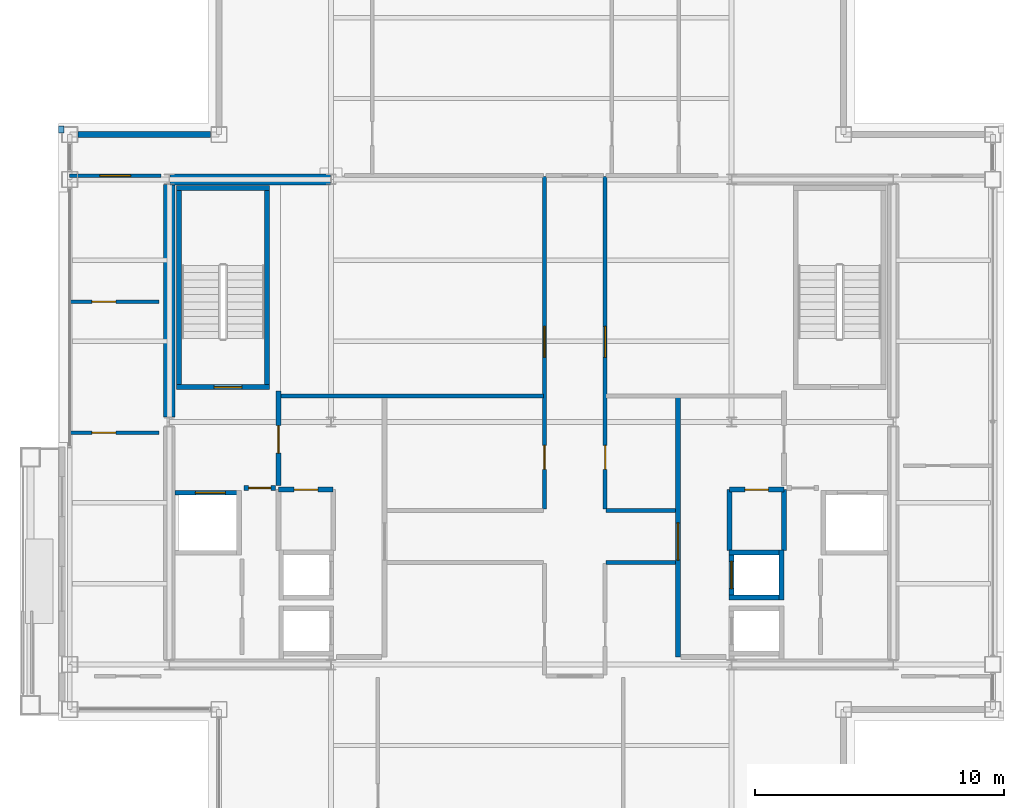
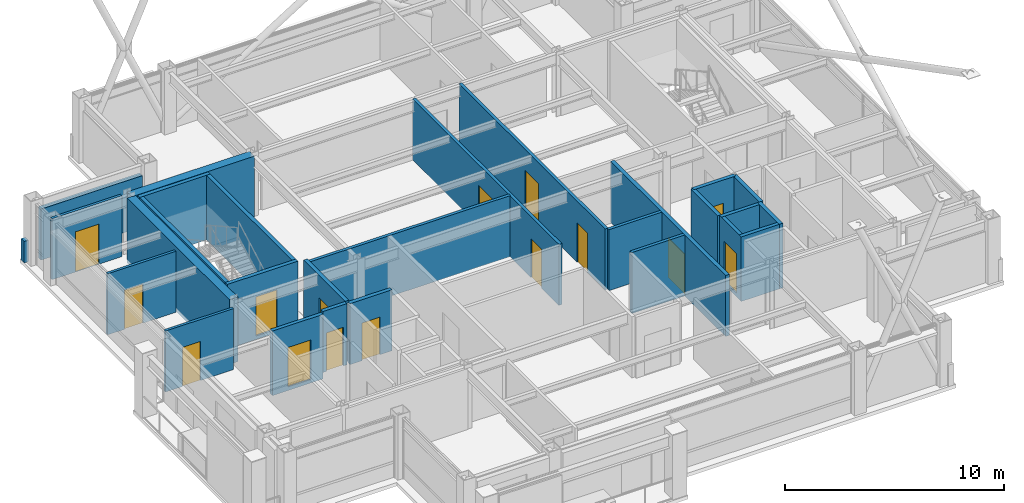
# One storey, part 22 of 26: 28 walls, 15 doors, 15 openings.
"""IFC4 building model written with IfcOpenShell, lengths in metres."""

from ifc_helpers import new_model, si_unit, direction, frame, frame_2d, origin, place, context, subcontext, project, spatial, rectangle, extrude, material, layer, layer_set, type_object, element, fill, save


model = new_model("IFC4")

# Units and contexts
model_context = context("Model", 3, precision=1e-05, world=origin(), true_north=direction((0.0, 1.0)))
body_context = subcontext(model_context, "Body", "Model", "MODEL_VIEW")
ifc_project = project(units=[si_unit("LENGTHUNIT", "METRE"), si_unit("AREAUNIT", "SQUARE_METRE"), si_unit("VOLUMEUNIT", "CUBIC_METRE"), si_unit("PLANEANGLEUNIT", "RADIAN"), si_unit("MASSUNIT", "GRAM", prefix="KILO")], contexts=[model_context])

# Site, building, storey
site_placement = place(None, origin())
site = spatial("IfcSite", under=ifc_project, at=site_placement, CompositionType="ELEMENT")
building_placement = place(site_placement, origin())
building = spatial("IfcBuilding", under=site, at=building_placement, Name="Brelmoor Portico Tower", CompositionType="ELEMENT")
storey_placement = place(building_placement, frame((0.0, 0.0, 247.199951171875)))
storey = spatial("IfcBuildingStorey", under=building, at=storey_placement, Name="L65", CompositionType="ELEMENT", Elevation=247.199951171875)

# Walls
ifc_material_1 = material(Name="Concrete C50", Category="concrete")
ifc_layer_1 = layer(ifc_material_1, 0.449951171875)
ifc_layer_set_1 = layer_set([ifc_layer_1], Name="Concrete C50")
wall_type_1 = type_object("IfcWallType", Name="WL-CORE-450", PredefinedType="SHEAR", material=ifc_layer_set_1)
wall_1_placement = place(storey_placement, frame((-14.530029296875, 9.75, -0.199951171875), z_axis=(0.0, 0.0, 1.0), x_axis=(1.0, 0.0, 0.0)))
element("IfcWall", 1, at=wall_1_placement, inside=storey, type_object=wall_type_1, Name="L65 WC North Shear Wall", PredefinedType="SHEAR", context=body_context, shape_type="SweptSolid", body=[
    extrude(rectangle(XDim=6.4599609375, YDim=0.449951171875, at=frame_2d((3.22998046875, 0.0))), origin(), (0.0, 0.0, 1.0), 3.60009765625),
])
wall_2_placement = place(storey_placement, frame((-14.550048828125, 0.199951171875, -0.199951171875), z_axis=(0.0, 0.0, 1.0), x_axis=(0.0, 1.0, 0.0)))
element("IfcWall", 2, at=wall_2_placement, inside=storey, type_object=wall_type_1, Name="L65 WC Outer North Shear Wall", PredefinedType="SHEAR", context=body_context, shape_type="SweptSolid", body=[
    extrude(rectangle(XDim=9.35009765625, YDim=0.449951171875, at=frame_2d((4.675048828125, 0.0))), origin(), (0.0, 0.0, 1.0), 3.60009765625),
])
ifc_material_2 = material(Name="Precast Concrete C40 Insulated Facade Wall", Category="concrete")
ifc_layer_2 = layer(ifc_material_2, 0.25)
ifc_layer_set_2 = layer_set([ifc_layer_2], Name="Precast Concrete C40 Insulated Facade Wall")
wall_type_2 = type_object("IfcWallType", Name="WL-EXT-250", PredefinedType="STANDARD", material=ifc_layer_set_2)
wall_3_placement = place(storey_placement, frame((-18.215087890625, 11.550048828125, 0.0), z_axis=(0.0, 0.0, 1.0), x_axis=(1.0, 0.0, 0.0)))
element("IfcWall", 3, at=wall_3_placement, inside=storey, type_object=wall_type_2, Name="L65 Corner Notch Facade Wall NNWH1", PredefinedType="STANDARD", context=body_context, shape_type="SweptSolid", body=[
    extrude(rectangle(XDim=5.330078125, YDim=0.25, at=frame_2d((2.6650390625, 0.0))), origin(), (0.0, 0.0, 1.0), 2.85009765625),
])
ifc_material_3 = material(Name="Concrete C40 Parapet Upstand", Category="concrete")
ifc_layer_3 = layer(ifc_material_3, 0.219970703125)
ifc_layer_set_3 = layer_set([ifc_layer_3], Name="Concrete C40 Parapet Upstand")
wall_type_3 = type_object("IfcWallType", Name="WL-PARAPET-220", PredefinedType="PARAPET", material=ifc_layer_set_3)
wall_4_placement = place(storey_placement, frame((-18.889892578125, 11.6201171875, 0.0), z_axis=(0.0, 0.0, 1.0), x_axis=(0.0, 1.0, 0.0)))
element("IfcWall", 4, at=wall_4_placement, inside=storey, type_object=wall_type_3, Name="L65 Chamfer Vertex Parapet Pier NW2", PredefinedType="PARAPET", context=body_context, shape_type="SweptSolid", body=[
    extrude(rectangle(XDim=0.269775390625, YDim=0.219970703125, at=frame_2d((0.134765625, 0.0))), origin(), (0.0, 0.0, 1.0), 1.199951171875),
])

# Wall, opening, door
ifc_material_4 = material(Name="Insulated Stud Suite Partition", Category="gypsum")
ifc_layer_4 = layer(ifc_material_4, 0.139892578125)
ifc_layer_set_4 = layer_set([ifc_layer_4], Name="Insulated Stud Suite Partition")
wall_type_4 = type_object("IfcWallType", Name="WL-PART-140", PredefinedType="PARTITIONING", material=ifc_layer_set_4)
wall_5_placement = place(storey_placement, frame((-18.56005859375, 9.89990234375, 0.0), z_axis=(0.0, 0.0, 1.0), x_axis=(1.0, 0.0, 0.0)))
wall_5 = element("IfcWall", 5, at=wall_5_placement, inside=storey, type_object=wall_type_4, Name="L65 North Wing Suite Wall WL", PredefinedType="PARTITIONING", context=body_context, shape_type="SweptSolid", body=[
    extrude(rectangle(XDim=3.68017578125, YDim=0.139892578125, at=frame_2d((1.840087890625, 0.0))), origin(), (0.0, 0.0, 1.0), 3.400146484375),
])
opening_1_placement = place(wall_5_placement, frame((1.219970703125, 0.0, 0.0)))
opening_1 = element("IfcOpeningElement", 6, at=opening_1_placement, cuts=wall_5, Name="Opening D-SU1", PredefinedType="OPENING", context=body_context, shape_type="SweptSolid", body=[
    extrude(rectangle(XDim=1.239990234375, YDim=2.239990234375, at=frame_2d((0.6201171875, 1.1201171875))), frame((0.0, 0.079833984375, 0.0), z_axis=(0.0, -1.0, 0.0), x_axis=(1.0, 0.0, 0.0)), (0.0, 0.0, 1.0), 0.159912109375),
])
ifc_material_5 = material(Name="Glazed Timber Executive Suite Door", Category="wood")
door_type_1 = type_object("IfcDoorType", Name="DR-SUITE-1200", OperationType="NOTDEFINED", PredefinedType="DOOR", material=ifc_material_5)
door_1_placement = place(opening_1_placement, origin())
door_1 = element("IfcDoor", 7, at=door_1_placement, inside=storey, type_object=door_type_1, Name="D-2692 L65 WL Wing Suite Connecting Door", OperationType="SINGLE_SWING_RIGHT", OverallHeight=2.239990234375, OverallWidth=1.239990234375, PredefinedType="DOOR", context=body_context, shape_type="SweptSolid", body=[
    extrude(rectangle(XDim=1.239990234375, YDim=2.239990234375, at=frame_2d((0.6201171875, 1.1201171875))), frame((0.0, 0.02490234375, 0.0), z_axis=(0.0, -1.0, 0.0), x_axis=(1.0, 0.0, 0.0)), (0.0, 0.0, 1.0), 0.050048828125),
])
fill(opening_1, door_1)

wall_6_placement = place(storey_placement, frame((-18.56005859375, -0.429931640625, 0.0), z_axis=(0.0, 0.0, 1.0), x_axis=(1.0, 0.0, 0.0)))
wall_6 = element("IfcWall", 8, at=wall_6_placement, inside=storey, type_object=wall_type_4, Name="L65 W Wing Partition 1", PredefinedType="PARTITIONING", context=body_context, shape_type="SweptSolid", body=[
    extrude(rectangle(XDim=3.60009765625, YDim=0.139892578125, at=frame_2d((1.800048828125, 0.0))), origin(), (0.0, 0.0, 1.0), 3.400146484375),
])
opening_2_placement = place(wall_6_placement, frame((0.89990234375, 0.0, 0.0)))
opening_2 = element("IfcOpeningElement", 9, at=opening_2_placement, cuts=wall_6, Name="Opening D-IN2", PredefinedType="OPENING", context=body_context, shape_type="SweptSolid", body=[
    extrude(rectangle(XDim=0.9599609375, YDim=2.179931640625, at=frame_2d((0.47998046875, 1.08984375))), frame((0.0, 0.079833984375, 0.0), z_axis=(0.0, -1.0, 0.0), x_axis=(1.0, 0.0, 0.0)), (0.0, 0.0, 1.0), 0.159912109375),
])
ifc_material_6 = material(Name="Lacquered Timber Suite Door", Category="wood")
door_type_2 = type_object("IfcDoorType", Name="DR-INT-950", OperationType="NOTDEFINED", PredefinedType="DOOR", material=ifc_material_6)
door_2_placement = place(opening_2_placement, origin())
door_2 = element("IfcDoor", 10, at=door_2_placement, inside=storey, type_object=door_type_2, Name="D-2703 L65 W Wing Suite Connecting Door 1", OperationType="SINGLE_SWING_RIGHT", OverallHeight=2.179931640625, OverallWidth=0.9599609375, PredefinedType="DOOR", context=body_context, shape_type="SweptSolid", body=[
    extrude(rectangle(XDim=0.9599609375, YDim=2.179931640625, at=frame_2d((0.47998046875, 1.08984375))), frame((0.0, 0.02490234375, 0.0), z_axis=(0.0, -1.0, 0.0), x_axis=(1.0, 0.0, 0.0)), (0.0, 0.0, 1.0), 0.050048828125),
])
fill(opening_2, door_2)

wall_7_placement = place(storey_placement, frame((-18.56005859375, 4.83251953125, 0.0), z_axis=(0.0, 0.0, 1.0), x_axis=(1.0, 0.0, 0.0)))
wall_7 = element("IfcWall", 11, at=wall_7_placement, inside=storey, type_object=wall_type_4, Name="L65 W Wing Partition 2", PredefinedType="PARTITIONING", context=body_context, shape_type="SweptSolid", body=[
    extrude(rectangle(XDim=3.60009765625, YDim=0.139892578125, at=frame_2d((1.800048828125, 0.0))), origin(), (0.0, 0.0, 1.0), 3.400146484375),
])
opening_3_placement = place(wall_7_placement, frame((0.89990234375, 0.0, 0.0)))
opening_3 = element("IfcOpeningElement", 12, at=opening_3_placement, cuts=wall_7, Name="Opening D-IN2", PredefinedType="OPENING", context=body_context, shape_type="SweptSolid", body=[
    extrude(rectangle(XDim=0.9599609375, YDim=2.179931640625, at=frame_2d((0.47998046875, 1.08984375))), frame((0.0, 0.079833984375, 0.0), z_axis=(0.0, -1.0, 0.0), x_axis=(1.0, 0.0, 0.0)), (0.0, 0.0, 1.0), 0.159912109375),
])
door_3_placement = place(opening_3_placement, origin())
door_3 = element("IfcDoor", 13, at=door_3_placement, inside=storey, type_object=door_type_2, Name="D-2704 L65 W Wing Suite Connecting Door 2", OperationType="SINGLE_SWING_LEFT", OverallHeight=2.179931640625, OverallWidth=0.9599609375, PredefinedType="DOOR", context=body_context, shape_type="SweptSolid", body=[
    extrude(rectangle(XDim=0.9599609375, YDim=2.179931640625, at=frame_2d((0.47998046875, 1.08984375))), frame((0.0, 0.02490234375, 0.0), z_axis=(0.0, -1.0, 0.0), x_axis=(1.0, 0.0, 0.0)), (0.0, 0.0, 1.0), 0.050048828125),
])
fill(opening_3, door_3)

# Wall
ifc_material_7 = material(Name="Twin-Frame Acoustic Partition", Category="gypsum")
ifc_layer_5 = layer(ifc_material_7, 0.159912109375)
ifc_layer_set_5 = layer_set([ifc_layer_5], Name="Twin-Frame Acoustic Partition")
wall_type_5 = type_object("IfcWallType", Name="WL-PART-160", PredefinedType="PARTITIONING", material=ifc_layer_set_5)
wall_8_placement = place(storey_placement, frame((-10.050048828125, 1.050048828125, 0.0), z_axis=(0.0, 0.0, 1.0), x_axis=(1.0, 0.0, 0.0)))
element("IfcWall", 14, at=wall_8_placement, inside=storey, type_object=wall_type_5, Name="L65 West Reclaimed Suite South Wall", PredefinedType="PARTITIONING", context=body_context, shape_type="SweptSolid", body=[
    extrude(rectangle(XDim=10.5400390625, YDim=0.159912109375, at=frame_2d((5.27001953125, 0.0))), origin(), (0.0, 0.0, 1.0), 3.400146484375),
])

# Wall, openings, doors
wall_9_placement = place(storey_placement, frame((0.530029296875, -3.5, 0.0), z_axis=(0.0, 0.0, 1.0), x_axis=(0.0, 1.0, 0.0)))
wall_9 = element("IfcWall", 15, at=wall_9_placement, inside=storey, type_object=wall_type_5, Name="L65 Central Cross West Wall", PredefinedType="PARTITIONING", context=body_context, shape_type="SweptSolid", body=[
    extrude(rectangle(XDim=13.360107421875, YDim=0.159912109375, at=frame_2d((6.68017578125, 0.0))), origin(), (0.0, 0.0, 1.0), 3.400146484375),
])
opening_4_placement = place(wall_9_placement, frame((6.10009765625, 0.0, 0.0)))
opening_4 = element("IfcOpeningElement", 16, at=opening_4_placement, cuts=wall_9, Name="Opening D-SU1", PredefinedType="OPENING", context=body_context, shape_type="SweptSolid", body=[
    extrude(rectangle(XDim=1.239990234375, YDim=2.239990234375, at=frame_2d((0.6201171875, 1.1201171875))), frame((0.0, 0.08984375, 0.0), z_axis=(0.0, -1.0, 0.0), x_axis=(1.0, 0.0, 0.0)), (0.0, 0.0, 1.0), 0.179931640625),
])
opening_5_placement = place(wall_9_placement, frame((1.60009765625, 0.0, 0.0)))
opening_5 = element("IfcOpeningElement", 17, at=opening_5_placement, cuts=wall_9, Name="Opening D-IN2", PredefinedType="OPENING", context=body_context, shape_type="SweptSolid", body=[
    extrude(rectangle(XDim=0.9599609375, YDim=2.179931640625, at=frame_2d((0.47998046875, 1.08984375))), frame((0.0, 0.08984375, 0.0), z_axis=(0.0, -1.0, 0.0), x_axis=(1.0, 0.0, 0.0)), (0.0, 0.0, 1.0), 0.179931640625),
])
door_4_placement = place(opening_5_placement, origin())
door_4 = element("IfcDoor", 18, at=door_4_placement, inside=storey, type_object=door_type_2, Name="D-2675 L65 Staff Pantry Door", OperationType="SINGLE_SWING_LEFT", OverallHeight=2.179931640625, OverallWidth=0.9599609375, PredefinedType="DOOR", context=body_context, shape_type="SweptSolid", body=[
    extrude(rectangle(XDim=0.9599609375, YDim=2.179931640625, at=frame_2d((0.47998046875, 1.08984375))), frame((0.0, 0.02490234375, 0.0), z_axis=(0.0, -1.0, 0.0), x_axis=(1.0, 0.0, 0.0)), (0.0, 0.0, 1.0), 0.050048828125),
])
fill(opening_5, door_4)
door_5_placement = place(opening_4_placement, origin())
door_5 = element("IfcDoor", 19, at=door_5_placement, inside=storey, type_object=door_type_1, Name="D-2676 L65 West Reclaimed Studio Door", OperationType="SINGLE_SWING_RIGHT", OverallHeight=2.239990234375, OverallWidth=1.239990234375, PredefinedType="DOOR", context=body_context, shape_type="SweptSolid", body=[
    extrude(rectangle(XDim=1.239990234375, YDim=2.239990234375, at=frame_2d((0.6201171875, 1.1201171875))), frame((0.0, 0.02490234375, 0.0), z_axis=(0.0, -1.0, 0.0), x_axis=(1.0, 0.0, 0.0)), (0.0, 0.0, 1.0), 0.050048828125),
])
fill(opening_4, door_5)

wall_10_placement = place(storey_placement, frame((2.969970703125, -3.5, 0.0), z_axis=(0.0, 0.0, 1.0), x_axis=(0.0, 1.0, 0.0)))
wall_10 = element("IfcWall", 20, at=wall_10_placement, inside=storey, type_object=wall_type_5, Name="L65 Central Cross East Wall", PredefinedType="PARTITIONING", context=body_context, shape_type="SweptSolid", body=[
    extrude(rectangle(XDim=13.360107421875, YDim=0.159912109375, at=frame_2d((6.68017578125, 0.0))), origin(), (0.0, 0.0, 1.0), 3.400146484375),
])
opening_6_placement = place(wall_10_placement, frame((6.10009765625, 0.0, 0.0)))
opening_6 = element("IfcOpeningElement", 21, at=opening_6_placement, cuts=wall_10, Name="Opening D-SU1", PredefinedType="OPENING", context=body_context, shape_type="SweptSolid", body=[
    extrude(rectangle(XDim=1.239990234375, YDim=2.239990234375, at=frame_2d((0.6201171875, 1.1201171875))), frame((0.0, 0.08984375, 0.0), z_axis=(0.0, -1.0, 0.0), x_axis=(1.0, 0.0, 0.0)), (0.0, 0.0, 1.0), 0.179931640625),
])
opening_7_placement = place(wall_10_placement, frame((1.60009765625, 0.0, 0.0)))
opening_7 = element("IfcOpeningElement", 22, at=opening_7_placement, cuts=wall_10, Name="Opening D-IN2", PredefinedType="OPENING", context=body_context, shape_type="SweptSolid", body=[
    extrude(rectangle(XDim=0.9599609375, YDim=2.179931640625, at=frame_2d((0.47998046875, 1.08984375))), frame((0.0, 0.08984375, 0.0), z_axis=(0.0, -1.0, 0.0), x_axis=(1.0, 0.0, 0.0)), (0.0, 0.0, 1.0), 0.179931640625),
])
door_6_placement = place(opening_7_placement, origin())
door_6 = element("IfcDoor", 23, at=door_6_placement, inside=storey, type_object=door_type_2, Name="D-2671 L65 Client Project Office Door", OperationType="SINGLE_SWING_LEFT", OverallHeight=2.179931640625, OverallWidth=0.9599609375, PredefinedType="DOOR", context=body_context, shape_type="SweptSolid", body=[
    extrude(rectangle(XDim=0.9599609375, YDim=2.179931640625, at=frame_2d((0.47998046875, 1.08984375))), frame((0.0, 0.02490234375, 0.0), z_axis=(0.0, -1.0, 0.0), x_axis=(1.0, 0.0, 0.0)), (0.0, 0.0, 1.0), 0.050048828125),
])
fill(opening_7, door_6)
door_7_placement = place(opening_6_placement, origin())
door_7 = element("IfcDoor", 24, at=door_7_placement, inside=storey, type_object=door_type_1, Name="D-2672 L65 East Reclaimed Studio Door", OperationType="SINGLE_SWING_RIGHT", OverallHeight=2.239990234375, OverallWidth=1.239990234375, PredefinedType="DOOR", context=body_context, shape_type="SweptSolid", body=[
    extrude(rectangle(XDim=1.239990234375, YDim=2.239990234375, at=frame_2d((0.6201171875, 1.1201171875))), frame((0.0, 0.02490234375, 0.0), z_axis=(0.0, -1.0, 0.0), x_axis=(1.0, 0.0, 0.0)), (0.0, 0.0, 1.0), 0.050048828125),
])
fill(opening_6, door_7)

# Walls
for number, where, z_axis, x_axis, name in (
    (25, (3.010009765625, -3.550048828125, 0.0), (0.0, 0.0, 1.0), (1.0, 0.0, 0.0), "L65 East Office South Wall"),
    (26, (3.010009765625, -5.64990234375, 0.0), (0.0, 0.0, 1.0), (1.0, 0.0, 0.0), "L65 South-East Chamber Top Wall"),
):
    element("IfcWall", number, at=place(storey_placement, frame(where, z_axis=z_axis, x_axis=x_axis)), inside=storey, type_object=wall_type_5, Name=name, PredefinedType="PARTITIONING", context=body_context, shape_type="SweptSolid", body=[
        extrude(rectangle(XDim=2.7900390625, YDim=0.159912109375, at=frame_2d((1.39501953125, 0.0))), origin(), (0.0, 0.0, 1.0), 3.400146484375),
    ])

# Wall, opening, door
ifc_material_8 = material(Name="Double-Stud Gypsum Fire Partition", Category="gypsum")
ifc_layer_6 = layer(ifc_material_8, 0.199951171875)
ifc_layer_set_6 = layer_set([ifc_layer_6], Name="Double-Stud Gypsum Fire Partition")
wall_type_6 = type_object("IfcWallType", Name="WL-PART-200", PredefinedType="PARTITIONING", material=ifc_layer_set_6)
wall_11_placement = place(storey_placement, frame((-10.159912109375, -2.550048828125, 0.0), z_axis=(0.0, 0.0, 1.0), x_axis=(0.0, 1.0, 0.0)))
wall_11 = element("IfcWall", 27, at=wall_11_placement, inside=storey, type_object=wall_type_6, Name="L65 W Firefighting Lobby Wall", PredefinedType="PARTITIONING", context=body_context, shape_type="SweptSolid", body=[
    extrude(rectangle(XDim=3.800048828125, YDim=0.199951171875, at=frame_2d((1.89990234375, 0.0))), origin(), (0.0, 0.0, 1.0), 3.400146484375),
])
opening_8_placement = place(wall_11_placement, frame((1.300048828125, 0.0, 0.0)))
opening_8 = element("IfcOpeningElement", 28, at=opening_8_placement, cuts=wall_11, Name="Opening D-FR1", PredefinedType="OPENING", context=body_context, shape_type="SweptSolid", body=[
    extrude(rectangle(XDim=1.10009765625, YDim=2.14990234375, at=frame_2d((0.550048828125, 1.074951171875))), frame((0.0, 0.10986328125, 0.0), z_axis=(0.0, -1.0, 0.0), x_axis=(1.0, 0.0, 0.0)), (0.0, 0.0, 1.0), 0.219970703125),
])
ifc_material_9 = material(Name="Painted Galvanised Steel Fire Door", Category="steel")
door_type_3 = type_object("IfcDoorType", Name="DR-FIRE-1100", OperationType="NOTDEFINED", PredefinedType="DOOR", material=ifc_material_9)
door_8_placement = place(opening_8_placement, origin())
door_8 = element("IfcDoor", 29, at=door_8_placement, inside=storey, type_object=door_type_3, Name="D-2684 L65 W Firefighting Lobby Door", OperationType="SINGLE_SWING_RIGHT", OverallHeight=2.14990234375, OverallWidth=1.10009765625, PredefinedType="DOOR", context=body_context, shape_type="SweptSolid", body=[
    extrude(rectangle(XDim=1.10009765625, YDim=2.14990234375, at=frame_2d((0.550048828125, 1.074951171875))), frame((0.0, 0.02490234375, 0.0), z_axis=(0.0, -1.0, 0.0), x_axis=(1.0, 0.0, 0.0)), (0.0, 0.0, 1.0), 0.050048828125),
])
fill(opening_8, door_8)

wall_12_placement = place(storey_placement, frame((-10.280029296875, -2.64990234375, 0.0), z_axis=(0.0, 0.0, 1.0), x_axis=(-1.0, 0.0, 0.0)))
wall_12 = element("IfcWall", 30, at=wall_12_placement, inside=storey, type_object=wall_type_6, Name="L65 W Firefighting Lobby South Wall", PredefinedType="PARTITIONING", context=body_context, shape_type="SweptSolid", body=[
    extrude(rectangle(XDim=1.27001953125, YDim=0.199951171875, at=frame_2d((0.635009765625, 0.0))), origin(), (0.0, 0.0, 1.0), 3.400146484375),
])
opening_9_placement = place(wall_12_placement, frame((0.18505859375, 0.0, 0.0)))
opening_9 = element("IfcOpeningElement", 31, at=opening_9_placement, cuts=wall_12, Name="Opening D-IN1", PredefinedType="OPENING", context=body_context, shape_type="SweptSolid", body=[
    extrude(rectangle(XDim=0.89990234375, YDim=2.14990234375, at=frame_2d((0.449951171875, 1.074951171875))), frame((0.0, 0.10986328125, 0.0), z_axis=(0.0, -1.0, 0.0), x_axis=(1.0, 0.0, 0.0)), (0.0, 0.0, 1.0), 0.219970703125),
])
door_type_4 = type_object("IfcDoorType", Name="DR-INT-900", OperationType="NOTDEFINED", PredefinedType="DOOR", material=ifc_material_6)
door_9_placement = place(opening_9_placement, origin())
door_9 = element("IfcDoor", 32, at=door_9_placement, inside=storey, type_object=door_type_4, Name="D-2679 L65 W Core Service Vestibule Door", OperationType="SINGLE_SWING_LEFT", OverallHeight=2.14990234375, OverallWidth=0.89990234375, PredefinedType="DOOR", context=body_context, shape_type="SweptSolid", body=[
    extrude(rectangle(XDim=0.89990234375, YDim=2.14990234375, at=frame_2d((0.449951171875, 1.074951171875))), frame((0.0, 0.02490234375, 0.0), z_axis=(0.0, -1.0, 0.0), x_axis=(1.0, 0.0, 0.0)), (0.0, 0.0, 1.0), 0.050048828125),
])
fill(opening_9, door_9)

wall_13_placement = place(storey_placement, frame((-7.9599609375, -2.719970703125, 0.0), z_axis=(0.0, 0.0, 1.0), x_axis=(-1.0, 0.0, 0.0)))
wall_13 = element("IfcWall", 33, at=wall_13_placement, inside=storey, type_object=wall_type_6, Name="L65 W Electrical Switchgear Closet Wall", PredefinedType="PARTITIONING", context=body_context, shape_type="SweptSolid", body=[
    extrude(rectangle(XDim=2.199951171875, YDim=0.199951171875, at=frame_2d((1.10009765625, 0.0))), origin(), (0.0, 0.0, 1.0), 3.400146484375),
])
opening_10_placement = place(wall_13_placement, frame((0.6201171875, 0.0, 0.0)))
opening_10 = element("IfcOpeningElement", 34, at=opening_10_placement, cuts=wall_13, Name="Opening D-FR4", PredefinedType="OPENING", context=body_context, shape_type="SweptSolid", body=[
    extrude(rectangle(XDim=0.949951171875, YDim=2.10009765625, at=frame_2d((0.47509765625, 1.050048828125))), frame((0.0, 0.10986328125, 0.0), z_axis=(0.0, -1.0, 0.0), x_axis=(1.0, 0.0, 0.0)), (0.0, 0.0, 1.0), 0.219970703125),
])
ifc_material_10 = material(Name="Painted Galvanised Steel Riser Door", Category="steel")
door_type_5 = type_object("IfcDoorType", Name="DR-FIRE-950", OperationType="NOTDEFINED", PredefinedType="DOOR", material=ifc_material_10)
door_10_placement = place(opening_10_placement, origin())
door_10 = element("IfcDoor", 35, at=door_10_placement, inside=storey, type_object=door_type_5, Name="D-2682 L65 W Electrical Switchgear Closet Door", OperationType="SINGLE_SWING_RIGHT", OverallHeight=2.10009765625, OverallWidth=0.949951171875, PredefinedType="DOOR", context=body_context, shape_type="SweptSolid", body=[
    extrude(rectangle(XDim=0.949951171875, YDim=2.10009765625, at=frame_2d((0.47509765625, 1.050048828125))), frame((0.0, 0.02490234375, 0.0), z_axis=(0.0, -1.0, 0.0), x_axis=(1.0, 0.0, 0.0)), (0.0, 0.0, 1.0), 0.050048828125),
])
fill(opening_10, door_10)

wall_14_placement = place(storey_placement, frame((5.89990234375, -9.449951171875, 0.0), z_axis=(0.0, 0.0, 1.0), x_axis=(0.0, 1.0, 0.0)))
wall_14 = element("IfcWall", 36, at=wall_14_placement, inside=storey, type_object=wall_type_6, Name="L65 E Core Lobby Compartment Wall", PredefinedType="PARTITIONING", context=body_context, shape_type="SweptSolid", body=[
    extrude(rectangle(XDim=10.5, YDim=0.199951171875, at=frame_2d((5.25, 0.0))), origin(), (0.0, 0.0, 1.0), 3.400146484375),
])
opening_11_placement = place(wall_14_placement, frame((3.89990234375, 0.0, 0.0)))
opening_11 = element("IfcOpeningElement", 37, at=opening_11_placement, cuts=wall_14, Name="Opening D-LB1", PredefinedType="OPENING", context=body_context, shape_type="SweptSolid", body=[
    extrude(rectangle(XDim=1.5, YDim=2.199951171875, at=frame_2d((0.75, 1.10009765625))), frame((0.0, 0.10986328125, 0.0), z_axis=(0.0, -1.0, 0.0), x_axis=(1.0, 0.0, 0.0)), (0.0, 0.0, 1.0), 0.219970703125),
])
ifc_material_11 = material(Name="Double-Leaf Glazed Steel Fire Door", Category="steel")
door_type_6 = type_object("IfcDoorType", Name="DR-LOBBY-1500", OperationType="NOTDEFINED", PredefinedType="DOOR", material=ifc_material_11)
door_11_placement = place(opening_11_placement, origin())
door_11 = element("IfcDoor", 38, at=door_11_placement, inside=storey, type_object=door_type_6, Name="D-2685 L65 E Lift Lobby Main Door", OperationType="DOUBLE_DOOR_SINGLE_SWING", OverallHeight=2.199951171875, OverallWidth=1.5, PredefinedType="DOOR", context=body_context, shape_type="SweptSolid", body=[
    extrude(rectangle(XDim=1.5, YDim=2.199951171875, at=frame_2d((0.75, 1.10009765625))), frame((0.0, 0.02490234375, 0.0), z_axis=(0.0, -1.0, 0.0), x_axis=(1.0, 0.0, 0.0)), (0.0, 0.0, 1.0), 0.050048828125),
])
fill(opening_11, door_11)

wall_15_placement = place(storey_placement, frame((7.9599609375, -2.719970703125, 0.0), z_axis=(0.0, 0.0, 1.0), x_axis=(1.0, 0.0, 0.0)))
wall_15 = element("IfcWall", 39, at=wall_15_placement, inside=storey, type_object=wall_type_6, Name="L65 E Electrical Switchgear Closet Wall", PredefinedType="PARTITIONING", context=body_context, shape_type="SweptSolid", body=[
    extrude(rectangle(XDim=2.199951171875, YDim=0.199951171875, at=frame_2d((1.10009765625, 0.0))), origin(), (0.0, 0.0, 1.0), 3.400146484375),
])
opening_12_placement = place(wall_15_placement, frame((0.6201171875, 0.0, 0.0)))
opening_12 = element("IfcOpeningElement", 40, at=opening_12_placement, cuts=wall_15, Name="Opening D-FR4", PredefinedType="OPENING", context=body_context, shape_type="SweptSolid", body=[
    extrude(rectangle(XDim=0.949951171875, YDim=2.10009765625, at=frame_2d((0.47509765625, 1.050048828125))), frame((0.0, 0.10986328125, 0.0), z_axis=(0.0, -1.0, 0.0), x_axis=(1.0, 0.0, 0.0)), (0.0, 0.0, 1.0), 0.219970703125),
])
door_12_placement = place(opening_12_placement, origin())
door_12 = element("IfcDoor", 41, at=door_12_placement, inside=storey, type_object=door_type_5, Name="D-2681 L65 E Electrical Switchgear Closet Door", OperationType="SINGLE_SWING_RIGHT", OverallHeight=2.10009765625, OverallWidth=0.949951171875, PredefinedType="DOOR", context=body_context, shape_type="SweptSolid", body=[
    extrude(rectangle(XDim=0.949951171875, YDim=2.10009765625, at=frame_2d((0.47509765625, 1.050048828125))), frame((0.0, 0.02490234375, 0.0), z_axis=(0.0, -1.0, 0.0), x_axis=(1.0, 0.0, 0.0)), (0.0, 0.0, 1.0), 0.050048828125),
])
fill(opening_12, door_12)

# Walls
for number, where, z_axis, x_axis, name in (
    (42, (7.9599609375, -5.159912109375, 0.0), (0.0, 0.0, 1.0), (0.0, 1.0, 0.0), "L65 E Electrical Switchgear Closet Inner Wall"),
    (43, (10.159912109375, -5.159912109375, 0.0), (0.0, 0.0, 1.0), (0.0, 1.0, 0.0), "L65 E Electrical Switchgear Closet Outer Wall"),
):
    element("IfcWall", number, at=place(storey_placement, frame(where, z_axis=z_axis, x_axis=x_axis)), inside=storey, type_object=wall_type_6, Name=name, PredefinedType="PARTITIONING", context=body_context, shape_type="SweptSolid", body=[
        extrude(rectangle(XDim=2.43994140625, YDim=0.199951171875, at=frame_2d((1.219970703125, 0.0))), origin(), (0.0, 0.0, 1.0), 3.400146484375),
    ])

# Wall, opening, door
ifc_material_12 = material(Name="Precast Concrete C40", Category="concrete")
ifc_layer_7 = layer(ifc_material_12, 0.18994140625)
ifc_layer_set_7 = layer_set([ifc_layer_7], Name="Precast Concrete C40")
wall_type_7 = type_object("IfcWallType", Name="WL-SHAFT-180", PredefinedType="SOLIDWALL", material=ifc_layer_set_7)
wall_16_placement = place(storey_placement, frame((8.044921875, -7.14990234375, -0.199951171875), z_axis=(0.0, 0.0, 1.0), x_axis=(0.0, 1.0, 0.0)))
wall_16 = element("IfcWall", 44, at=wall_16_placement, inside=storey, type_object=wall_type_7, Name="L65 Lift PH4 Hoistway Front Wall", PredefinedType="SOLIDWALL", context=body_context, shape_type="SweptSolid", body=[
    extrude(rectangle(XDim=2.0, YDim=0.18994140625, at=frame_2d((1.0, 0.0))), origin(), (0.0, 0.0, 1.0), 3.60009765625),
])
opening_13_placement = place(wall_16_placement, frame((0.449951171875, 0.0, 0.199951171875)))
opening_13 = element("IfcOpeningElement", 45, at=opening_13_placement, cuts=wall_16, Name="Opening LD-01", PredefinedType="OPENING", context=body_context, shape_type="SweptSolid", body=[
    extrude(rectangle(XDim=1.10009765625, YDim=2.199951171875, at=frame_2d((0.550048828125, 1.10009765625))), frame((0.0, 0.10498046875, 0.0), z_axis=(0.0, -1.0, 0.0), x_axis=(1.0, 0.0, 0.0)), (0.0, 0.0, 1.0), 0.2099609375),
])
ifc_material_13 = material(Name="Brushed Stainless Steel Sliding Lift Door", Category="steel")
door_type_7 = type_object("IfcDoorType", Name="DR-LIFT-1100", OperationType="NOTDEFINED", PredefinedType="DOOR", material=ifc_material_13)
door_13_placement = place(opening_13_placement, origin())
door_13 = element("IfcDoor", 46, at=door_13_placement, inside=storey, type_object=door_type_7, Name="D-2710 L65 Lift PH4 Sliding Landing Door", OperationType="SLIDING_TO_LEFT", OverallHeight=2.199951171875, OverallWidth=1.10009765625, PredefinedType="DOOR", context=body_context, shape_type="SweptSolid", body=[
    extrude(rectangle(XDim=1.10009765625, YDim=2.199951171875, at=frame_2d((0.550048828125, 1.10009765625))), frame((0.0, 0.02490234375, 0.0), z_axis=(0.0, -1.0, 0.0), x_axis=(1.0, 0.0, 0.0)), (0.0, 0.0, 1.0), 0.050048828125),
])
fill(opening_13, door_13)

# Walls
wall_17_placement = place(storey_placement, frame((10.054931640625, -7.14990234375, -0.199951171875), z_axis=(0.0, 0.0, 1.0), x_axis=(0.0, 1.0, 0.0)))
element("IfcWall", 47, at=wall_17_placement, inside=storey, type_object=wall_type_7, Name="L65 Lift PH4 Hoistway Back Wall", PredefinedType="SOLIDWALL", context=body_context, shape_type="SweptSolid", body=[
    extrude(rectangle(XDim=2.0, YDim=0.18994140625, at=frame_2d((1.0, 0.0))), origin(), (0.0, 0.0, 1.0), 3.60009765625),
])
for number, where, z_axis, x_axis, name in (
    (48, (7.949951171875, -5.2451171875, -0.199951171875), (0.0, 0.0, 1.0), (1.0, 0.0, 0.0), "L65 Lift PH4 Hoistway North Wall"),
    (49, (7.949951171875, -7.054931640625, -0.199951171875), (0.0, 0.0, 1.0), (1.0, 0.0, 0.0), "L65 Lift PH4 Hoistway South Wall"),
):
    element("IfcWall", number, at=place(storey_placement, frame(where, z_axis=z_axis, x_axis=x_axis)), inside=storey, type_object=wall_type_7, Name=name, PredefinedType="SOLIDWALL", context=body_context, shape_type="SweptSolid", body=[
        extrude(rectangle(XDim=2.199951171875, YDim=0.18994140625, at=frame_2d((1.10009765625, 0.0))), origin(), (0.0, 0.0, 1.0), 3.60009765625),
    ])

# Wall, opening, door
wall_18_placement = place(storey_placement, frame((-14.330078125, -2.844970703125, -0.199951171875), z_axis=(0.0, 0.0, 1.0), x_axis=(1.0, 0.0, 0.0)))
wall_18 = element("IfcWall", 50, at=wall_18_placement, inside=storey, type_object=wall_type_7, Name="L65 Lift FF1 Hoistway Front Wall", PredefinedType="SOLIDWALL", context=body_context, shape_type="SweptSolid", body=[
    extrude(rectangle(XDim=2.68017578125, YDim=0.18994140625, at=frame_2d((1.340087890625, 0.0))), origin(), (0.0, 0.0, 1.0), 3.60009765625),
])
opening_14_placement = place(wall_18_placement, frame((0.830078125, 0.0, 0.199951171875)))
opening_14 = element("IfcOpeningElement", 51, at=opening_14_placement, cuts=wall_18, Name="Opening LD-02", PredefinedType="OPENING", context=body_context, shape_type="SweptSolid", body=[
    extrude(rectangle(XDim=1.199951171875, YDim=2.199951171875, at=frame_2d((0.60009765625, 1.10009765625))), frame((0.0, 0.10498046875, 0.0), z_axis=(0.0, -1.0, 0.0), x_axis=(1.0, 0.0, 0.0)), (0.0, 0.0, 1.0), 0.2099609375),
])
ifc_material_14 = material(Name="Brushed Stainless Steel Firefighting Lift Door", Category="steel")
door_type_8 = type_object("IfcDoorType", Name="DR-LIFT-1200", OperationType="NOTDEFINED", PredefinedType="DOOR", material=ifc_material_14)
door_14_placement = place(opening_14_placement, origin())
door_14 = element("IfcDoor", 52, at=door_14_placement, inside=storey, type_object=door_type_8, Name="D-2705 L65 Lift FF1 Sliding Landing Door", OperationType="SLIDING_TO_LEFT", OverallHeight=2.199951171875, OverallWidth=1.199951171875, PredefinedType="DOOR", context=body_context, shape_type="SweptSolid", body=[
    extrude(rectangle(XDim=1.199951171875, YDim=2.199951171875, at=frame_2d((0.60009765625, 1.10009765625))), frame((0.0, 0.02490234375, 0.0), z_axis=(0.0, -1.0, 0.0), x_axis=(1.0, 0.0, 0.0)), (0.0, 0.0, 1.0), 0.050048828125),
])
fill(opening_14, door_14)

# Wall
ifc_material_15 = material(Name="Concrete C40", Category="concrete")
ifc_layer_8 = layer(ifc_material_15, 0.199951171875)
ifc_layer_set_8 = layer_set([ifc_layer_8], Name="Concrete C40")
wall_type_8 = type_object("IfcWallType", Name="WL-SHAFT-RC200", PredefinedType="SOLIDWALL", material=ifc_layer_set_8)
wall_19_placement = place(storey_placement, frame((-14.14990234375, 1.5, -0.199951171875), z_axis=(0.0, 0.0, 1.0), x_axis=(0.0, 1.0, 0.0)))
element("IfcWall", 53, at=wall_19_placement, inside=storey, type_object=wall_type_8, Name="L65 ST-W Structural Stair Wall Outer", PredefinedType="SOLIDWALL", context=body_context, shape_type="SweptSolid", body=[
    extrude(rectangle(XDim=7.800048828125, YDim=0.199951171875, at=frame_2d((3.89990234375, 0.0))), origin(), (0.0, 0.0, 1.0), 3.60009765625),
])

# Wall, opening, door
wall_20_placement = place(storey_placement, frame((-14.25, 1.39990234375, -0.199951171875), z_axis=(0.0, 0.0, 1.0), x_axis=(1.0, 0.0, 0.0)))
wall_20 = element("IfcWall", 54, at=wall_20_placement, inside=storey, type_object=wall_type_8, Name="L65 ST-W Structural Stair Wall S", PredefinedType="SOLIDWALL", context=body_context, shape_type="SweptSolid", body=[
    extrude(rectangle(XDim=3.719970703125, YDim=0.199951171875, at=frame_2d((1.85986328125, 0.0))), origin(), (0.0, 0.0, 1.0), 3.60009765625),
])
opening_15_placement = place(wall_20_placement, frame((1.5, 0.0, 0.199951171875)))
opening_15 = element("IfcOpeningElement", 55, at=opening_15_placement, cuts=wall_20, Name="Opening D-ST1", PredefinedType="OPENING", context=body_context, shape_type="SweptSolid", body=[
    extrude(rectangle(XDim=1.1201171875, YDim=2.179931640625, at=frame_2d((0.56005859375, 1.08984375))), frame((0.0, 0.10986328125, 0.0), z_axis=(0.0, -1.0, 0.0), x_axis=(1.0, 0.0, 0.0)), (0.0, 0.0, 1.0), 0.219970703125),
])
door_type_9 = type_object("IfcDoorType", Name="DR-STAIR-1100", OperationType="NOTDEFINED", PredefinedType="DOOR", material=ifc_material_9)
door_15_placement = place(opening_15_placement, origin())
door_15 = element("IfcDoor", 56, at=door_15_placement, inside=storey, type_object=door_type_9, Name="D-2697 L65 ST-W Protected Exit Stair Door", OperationType="SINGLE_SWING_LEFT", OverallHeight=2.179931640625, OverallWidth=1.1201171875, PredefinedType="DOOR", context=body_context, shape_type="SweptSolid", body=[
    extrude(rectangle(XDim=1.1201171875, YDim=2.179931640625, at=frame_2d((0.56005859375, 1.08984375))), frame((0.0, 0.02490234375, 0.0), z_axis=(0.0, -1.0, 0.0), x_axis=(1.0, 0.0, 0.0)), (0.0, 0.0, 1.0), 0.050048828125),
])
fill(opening_15, door_15)

# Walls
wall_21_placement = place(storey_placement, frame((-14.25, 9.39990234375, -0.199951171875), z_axis=(0.0, 0.0, 1.0), x_axis=(1.0, 0.0, 0.0)))
element("IfcWall", 57, at=wall_21_placement, inside=storey, type_object=wall_type_8, Name="L65 ST-W Structural Stair Wall N", PredefinedType="SOLIDWALL", context=body_context, shape_type="SweptSolid", body=[
    extrude(rectangle(XDim=3.719970703125, YDim=0.199951171875, at=frame_2d((1.85986328125, 0.0))), origin(), (0.0, 0.0, 1.0), 3.60009765625),
])
wall_22_placement = place(storey_placement, frame((-10.6298828125, 1.5, -0.199951171875), z_axis=(0.0, 0.0, 1.0), x_axis=(0.0, 1.0, 0.0)))
element("IfcWall", 58, at=wall_22_placement, inside=storey, type_object=wall_type_8, Name="L65 ST-W Structural Stair Wall Inner", PredefinedType="SOLIDWALL", context=body_context, shape_type="SweptSolid", body=[
    extrude(rectangle(XDim=7.800048828125, YDim=0.199951171875, at=frame_2d((3.89990234375, 0.0))), origin(), (0.0, 0.0, 1.0), 3.60009765625),
])

save(model, "model.ifc")
